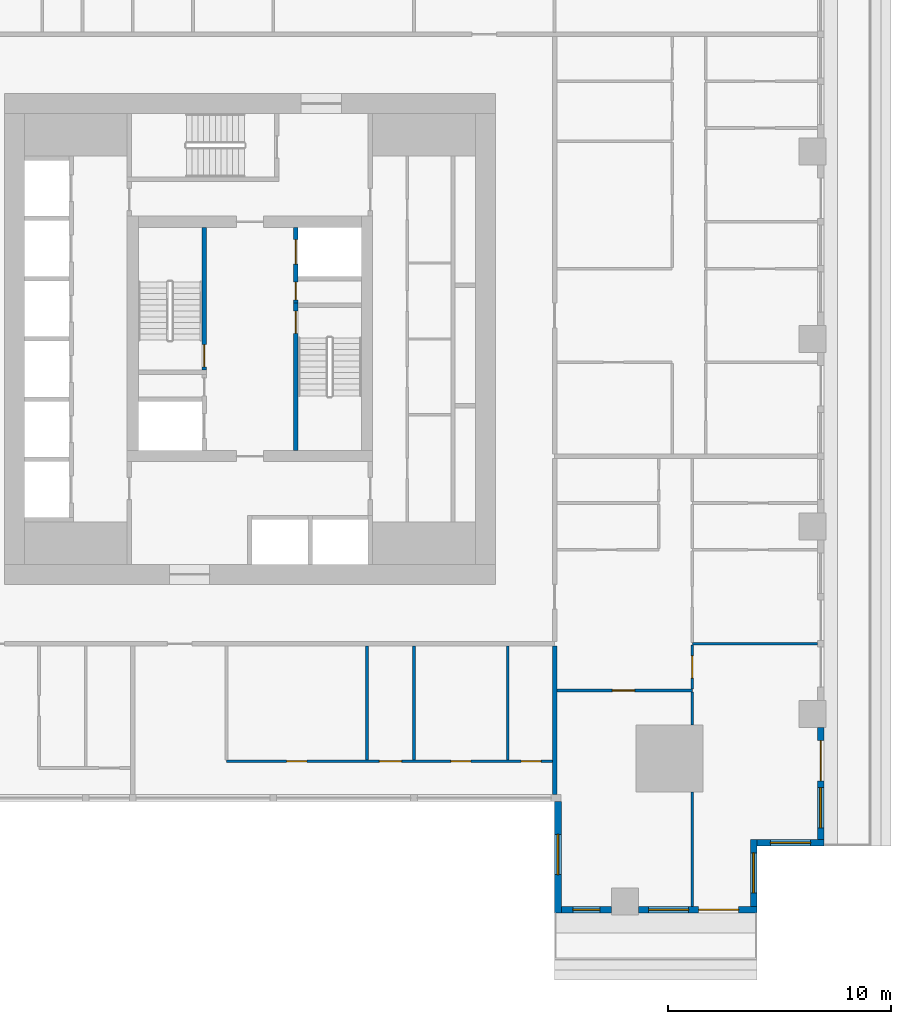
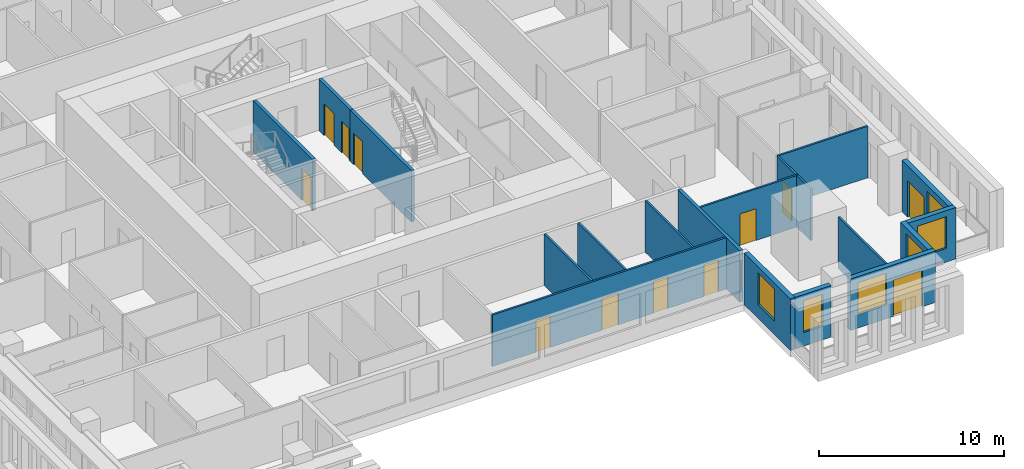
# One storey, part 4 of 14: 19 walls, 12 doors, 6 windows, 18 openings.
"""IFC4 building model written with IfcOpenShell, lengths in metres."""

import ifcopenshell
import ifcopenshell.guid

model = None  # the IFC model being written
_history = None  # IfcOwnerHistory: only IFC2X3 demands one
_inside = {}  # id of a spatial element -> (the spatial element, [elements in it])
_under = {}  # id of a project, library or spatial element -> (it, [spatial elements below it])
_declared = {}  # id of a project -> (the project, [libraries it declares])
_typed = {}  # id of a type object -> (the type object, [elements of that type])
_made_of = {}  # id of a material, layer set ... -> (it, [elements and type objects made of it])


def new_model(schema):
    """Start an empty IFC model of exactly this schema.

    Asked for "IFC4X3", IfcOpenShell would pick the latest addendum, in which some entities
    have other attributes; the version numbers below select the first issue.
    IFC2X3 requires an IfcOwnerHistory on every rooted entity: one is made here for all.
    """
    global model, _history
    if schema == "IFC4X3":
        model = ifcopenshell.file(schema_version=(4, 3, 0, 0))
    else:
        model = ifcopenshell.file(schema=schema)
    _inside.clear()
    _under.clear()
    _declared.clear()
    _typed.clear()
    _made_of.clear()
    _history = None
    if model.schema == "IFC2X3":
        org = make("IfcOrganization", Name="unknown")
        user = make(
            "IfcPersonAndOrganization",
            ThePerson=make("IfcPerson", FamilyName="unknown"),
            TheOrganization=org,
        )
        app = make(
            "IfcApplication",
            ApplicationDeveloper=org,
            Version="unknown",
            ApplicationFullName="unknown",
            ApplicationIdentifier="unknown",
        )
        _history = make(
            "IfcOwnerHistory",
            OwningUser=user,
            OwningApplication=app,
            ChangeAction="ADDED",
            CreationDate=0,
        )
    return model


def make(cls, **values):
    """One entity of the class cls with the attributes given. An attribute that is None is left unset."""
    return model.create_entity(
        cls, **{name: value for name, value in values.items() if value is not None}
    )


def rooted(cls, **values):
    """An entity with a GlobalId (a new one), such as an element, a storey or a relation."""
    return make(cls, GlobalId=ifcopenshell.guid.new(), OwnerHistory=_history, **values)


def si_unit(unit_type, name, prefix=None):
    """IfcSIUnit, for example si_unit("LENGTHUNIT", "METRE", prefix="MILLI")."""
    return make("IfcSIUnit", UnitType=unit_type, Prefix=prefix, Name=name)


def assignment(units):
    """IfcUnitAssignment: the units of a project."""
    return None if units is None else make("IfcUnitAssignment", Units=units)


def point(xyz):
    """IfcCartesianPoint."""
    return None if xyz is None else make("IfcCartesianPoint", Coordinates=xyz)


def direction(xyz):
    """IfcDirection."""
    return None if xyz is None else make("IfcDirection", DirectionRatios=xyz)


def frame(location, z_axis=None, x_axis=None):
    """IfcAxis2Placement3D, a coordinate frame: its origin and axes. An axis left out is left unset."""
    return make(
        "IfcAxis2Placement3D",
        Location=point(location),
        Axis=direction(z_axis),
        RefDirection=direction(x_axis),
    )


def frame_2d(location, x_axis=None):
    """IfcAxis2Placement2D, a coordinate frame in the plane: its origin and x axis."""
    return make(
        "IfcAxis2Placement2D", Location=point(location), RefDirection=direction(x_axis)
    )


def origin():
    """The frame at (0, 0, 0) with its axes left unset."""
    return frame((0.0, 0.0, 0.0))


def place(relative_to, where):
    """IfcLocalPlacement: puts the frame where relative to a parent placement (None: the world)."""
    return make(
        "IfcLocalPlacement", PlacementRelTo=relative_to, RelativePlacement=where
    )


def context(
    kind, dimensions, precision=None, world=None, true_north=None, identifier=None
):
    """IfcGeometricRepresentationContext, for example the 3D "Model" context."""
    return make(
        "IfcGeometricRepresentationContext",
        ContextIdentifier=identifier,
        ContextType=kind,
        CoordinateSpaceDimension=dimensions,
        Precision=precision,
        WorldCoordinateSystem=world,
        TrueNorth=true_north,
    )


def subcontext(parent, identifier, kind, view, scale=None):
    """IfcGeometricRepresentationSubContext, for example "Body" below "Model"."""
    return make(
        "IfcGeometricRepresentationSubContext",
        ContextIdentifier=identifier,
        ContextType=kind,
        ParentContext=parent,
        TargetScale=scale,
        TargetView=view,
    )


def project(units=None, contexts=None):
    """IfcProject with its units and contexts."""
    return rooted(
        "IfcProject",
        Name="project",
        RepresentationContexts=contexts,
        UnitsInContext=assignment(units),
    )


def spatial(cls, under=None, at=None, **own):
    """A site, building, storey or space (cls), placed at a placement, below another one or the project."""
    s = rooted(cls, ObjectPlacement=at, **own)
    if under is not None:
        _under.setdefault(under.id(), (under, []))[1].append(s)
    return s


def profile(cls, at=None, kind="AREA", **sizes):
    """A parametric profile (cls). Its sizes go by their IFC names, for example OverallWidth=200.0."""
    return make(cls, ProfileType=kind, Position=at, **sizes)


def rectangle(**sizes):
    """IfcRectangleProfileDef."""
    return profile("IfcRectangleProfileDef", **sizes)


def extrude(swept, where, along, depth):
    """IfcExtrudedAreaSolid: the profile swept, set in the frame where, extruded along a direction by depth."""
    return make(
        "IfcExtrudedAreaSolid",
        SweptArea=swept,
        Position=where,
        ExtrudedDirection=direction(along),
        Depth=depth,
    )


def shape(context_of_items, identifier, shape_type, items):
    """IfcShapeRepresentation: the items that make up one representation, for example the "Body"."""
    return make(
        "IfcShapeRepresentation",
        ContextOfItems=context_of_items,
        RepresentationIdentifier=identifier,
        RepresentationType=shape_type,
        Items=items,
    )


def material(Name=None, Category=None):
    """IfcMaterial."""
    return make("IfcMaterial", Name=Name, Category=Category)


def layer(
    of_material, thickness, ventilated=None, Name=None, Category=None, Priority=None
):
    """IfcMaterialLayer: one layer of a wall or slab, of a material (None: an air gap)."""
    return make(
        "IfcMaterialLayer",
        Material=of_material,
        LayerThickness=thickness,
        IsVentilated=ventilated,
        Name=Name,
        Category=Category,
        Priority=Priority,
    )


def layer_set(layers, Name=None):
    """IfcMaterialLayerSet."""
    return make("IfcMaterialLayerSet", MaterialLayers=layers, LayerSetName=Name)


def made_of(thing, what):
    """Note that an element or type object is made of a material, layer set ...; save() writes the relation."""
    if what is not None:
        _made_of.setdefault(what.id(), (what, []))[1].append(thing)
    return thing


def type_object(cls, material=None, **own):
    """A type object (cls), such as IfcWallType, which elements share."""
    return made_of(rooted(cls, **own), material)


def element(
    cls,
    number,
    at=None,
    inside=None,
    cuts=None,
    type_object=None,
    material=None,
    context=None,
    identifier="Body",
    shape_type=None,
    held_by="IfcProductDefinitionShape",
    body=None,
    shapes=None,
    **own,
):
    """One element of the class cls, such as IfcWall. Its Tag is "e" and its number.

    at: its placement. inside: the storey or other place that contains it. cuts: it is an
    opening in that element (IfcRelVoidsElement). A single representation is given by context,
    identifier, shape_type and body (its items); several are given by shapes. held_by: the class
    of the entity that holds the representations. save() writes the other relations.
    """
    e = rooted(cls, Tag="e%d" % number, ObjectPlacement=at, **own)
    if body is not None:
        shapes = [shape(context, identifier, shape_type, body)]
    if shapes is not None:
        e.Representation = make(held_by, Representations=shapes)
    if inside is not None:
        _inside.setdefault(inside.id(), (inside, []))[1].append(e)
    if cuts is not None:
        rooted(
            "IfcRelVoidsElement", RelatingBuildingElement=cuts, RelatedOpeningElement=e
        )
    if type_object is not None:
        _typed.setdefault(type_object.id(), (type_object, []))[1].append(e)
    return made_of(e, material)


def fill(opening, filler):
    """IfcRelFillsElement: the door or window that sits in an opening."""
    return rooted(
        "IfcRelFillsElement",
        RelatingOpeningElement=opening,
        RelatedBuildingElement=filler,
    )


def aggregate(whole, parts):
    """IfcRelAggregates: a whole, such as a stair, and the parts it consists of."""
    return rooted("IfcRelAggregates", RelatingObject=whole, RelatedObjects=parts)


def save(model, path):
    """Write the relations noted so far, then the file.

    IfcRelAggregates (storeys below a building ...), IfcRelContainedInSpatialStructure (elements
    in a storey), IfcRelDefinesByType, IfcRelAssociatesMaterial and IfcRelDeclares: one each for
    every whole, place, type object, material and project.
    """
    for whole, parts in _under.values():
        aggregate(whole, parts)
    for where, things in _inside.values():
        rooted(
            "IfcRelContainedInSpatialStructure",
            RelatedElements=things,
            RelatingStructure=where,
        )
    for kind, things in _typed.values():
        rooted("IfcRelDefinesByType", RelatedObjects=things, RelatingType=kind)
    for what, things in _made_of.values():
        rooted("IfcRelAssociatesMaterial", RelatedObjects=things, RelatingMaterial=what)
    for by, libraries in _declared.values():
        rooted("IfcRelDeclares", RelatingContext=by, RelatedDefinitions=libraries)
    model.write(path)


model = new_model("IFC4")

# Units and contexts
model_context = context("Model", 3, precision=1e-05, world=origin(), true_north=direction((0.0, 1.0)))
body_context = subcontext(model_context, "Body", "Model", "MODEL_VIEW")
ifc_project = project(units=[si_unit("LENGTHUNIT", "METRE"), si_unit("AREAUNIT", "SQUARE_METRE"), si_unit("VOLUMEUNIT", "CUBIC_METRE"), si_unit("PLANEANGLEUNIT", "RADIAN"), si_unit("MASSUNIT", "GRAM", prefix="KILO")], contexts=[model_context])

# Site, building, storey
site_placement = place(None, origin())
site = spatial("IfcSite", under=ifc_project, at=site_placement, CompositionType="ELEMENT")
building_placement = place(site_placement, origin())
building = spatial("IfcBuilding", under=site, at=building_placement, Name="Khepri Terraces", CompositionType="ELEMENT")
storey_placement = place(building_placement, frame((0.0, 0.0, 69.89990234375)))
storey = spatial("IfcBuildingStorey", under=building, at=storey_placement, Name="L16", CompositionType="ELEMENT", Elevation=69.89990234375)

# Wall, opening, door
ifc_material_1 = material(Name="Concrete C80/95", Category="concrete")
ifc_layer_1 = layer(ifc_material_1, 0.199951171875, Name="Concrete C80/95", Category="concrete")
ifc_layer_set_1 = layer_set([ifc_layer_1], Name="Concrete C80/95")
wall_type_1 = type_object("IfcWallType", Name="Core wall 200 C80/95", PredefinedType="SHEAR", material=ifc_layer_set_1)
wall_1_placement = place(storey_placement, frame((2.050048828125, -5.0, 0.0), z_axis=(0.0, 0.0, 1.0), x_axis=(0.0, 1.0, 0.0)))
wall_1 = element("IfcWall", 1, at=wall_1_placement, inside=storey, type_object=wall_type_1, Name="Core wall ST01 L16", PredefinedType="SHEAR", context=body_context, shape_type="SweptSolid", body=[
    extrude(rectangle(XDim=6.60009765625, YDim=0.199951171875, at=frame_2d((3.300048828125, 0.0))), origin(), (0.0, 0.0, 1.0), 3.400146484375),
])
opening_1_placement = place(wall_1_placement, frame((5.25, 0.0, 0.0)))
opening_1 = element("IfcOpeningElement", 2, at=opening_1_placement, cuts=wall_1, Name="Opening L16-C10", PredefinedType="OPENING", context=body_context, shape_type="SweptSolid", body=[
    extrude(rectangle(XDim=1.0, YDim=2.10009765625, at=frame_2d((0.5, 1.050048828125))), frame((0.0, 0.10986328125, 0.0), z_axis=(0.0, -1.0, 0.0), x_axis=(1.0, 0.0, 0.0)), (0.0, 0.0, 1.0), 0.219970703125),
])
ifc_material_2 = material(Name="Painted steel", Category="steel")
door_type_1 = type_object("IfcDoorType", Name="DR-CORE-STAIR-1000", OperationType="NOTDEFINED", PredefinedType="DOOR", material=ifc_material_2)
door_1_placement = place(opening_1_placement, frame((1.0, 0.0, 0.0), z_axis=(0.0, 0.0, 1.0), x_axis=(-1.0, 0.0, 0.0)))
door_1 = element("IfcDoor", 3, at=door_1_placement, inside=storey, type_object=door_type_1, Name="Stair door L16-C10", OperationType="SINGLE_SWING_LEFT", OverallHeight=2.10009765625, OverallWidth=1.0, PredefinedType="DOOR", context=body_context, shape_type="SweptSolid", body=[
    extrude(rectangle(XDim=1.0, YDim=2.10009765625, at=frame_2d((0.5, 1.050048828125))), frame((0.0, 0.02490234375, 0.0), z_axis=(0.0, -1.0, 0.0), x_axis=(1.0, 0.0, 0.0)), (0.0, 0.0, 1.0), 0.050048828125),
])
fill(opening_1, door_1)

wall_2_placement = place(storey_placement, frame((-2.050048828125, -1.39990234375, 0.0), z_axis=(0.0, 0.0, 1.0), x_axis=(0.0, 1.0, 0.0)))
wall_2 = element("IfcWall", 4, at=wall_2_placement, inside=storey, type_object=wall_type_1, Name="Core wall ST03 L16", PredefinedType="SHEAR", context=body_context, shape_type="SweptSolid", body=[
    extrude(rectangle(XDim=6.39990234375, YDim=0.199951171875, at=frame_2d((3.199951171875, 0.0))), origin(), (0.0, 0.0, 1.0), 3.400146484375),
])
opening_2_placement = place(wall_2_placement, frame((0.14990234375, 0.0, 0.0)))
opening_2 = element("IfcOpeningElement", 5, at=opening_2_placement, cuts=wall_2, Name="Opening L16-C09", PredefinedType="OPENING", context=body_context, shape_type="SweptSolid", body=[
    extrude(rectangle(XDim=1.0, YDim=2.10009765625, at=frame_2d((0.5, 1.050048828125))), frame((0.0, 0.10986328125, 0.0), z_axis=(0.0, -1.0, 0.0), x_axis=(1.0, 0.0, 0.0)), (0.0, 0.0, 1.0), 0.219970703125),
])
door_2_placement = place(opening_2_placement, origin())
door_2 = element("IfcDoor", 6, at=door_2_placement, inside=storey, type_object=door_type_1, Name="Stair door L16-C09", OperationType="SINGLE_SWING_LEFT", OverallHeight=2.10009765625, OverallWidth=1.0, PredefinedType="DOOR", context=body_context, shape_type="SweptSolid", body=[
    extrude(rectangle(XDim=1.0, YDim=2.10009765625, at=frame_2d((0.5, 1.050048828125))), frame((0.0, 0.02490234375, 0.0), z_axis=(0.0, -1.0, 0.0), x_axis=(1.0, 0.0, 0.0)), (0.0, 0.0, 1.0), 0.050048828125),
])
fill(opening_2, door_2)

# Wall, openings, doors
wall_3_placement = place(storey_placement, frame((2.050048828125, 1.60009765625, 0.0), z_axis=(0.0, 0.0, 1.0), x_axis=(0.0, 1.0, 0.0)))
wall_3 = element("IfcWall", 7, at=wall_3_placement, inside=storey, type_object=wall_type_1, Name="Core wall SH15 L16", PredefinedType="SHEAR", context=body_context, shape_type="SweptSolid", body=[
    extrude(rectangle(XDim=3.39990234375, YDim=0.199951171875, at=frame_2d((1.699951171875, 0.0))), origin(), (0.0, 0.0, 1.0), 3.400146484375),
])
opening_3_placement = place(wall_3_placement, frame((1.75, 0.0, 0.0)))
opening_3 = element("IfcOpeningElement", 8, at=opening_3_placement, cuts=wall_3, Name="Opening L16-C07", PredefinedType="OPENING", context=body_context, shape_type="SweptSolid", body=[
    extrude(rectangle(XDim=1.10009765625, YDim=2.10009765625, at=frame_2d((0.550048828125, 1.050048828125))), frame((0.0, 0.10986328125, 0.0), z_axis=(0.0, -1.0, 0.0), x_axis=(1.0, 0.0, 0.0)), (0.0, 0.0, 1.0), 0.219970703125),
])
opening_4_placement = place(wall_3_placement, frame((0.14990234375, 0.0, 0.0)))
opening_4 = element("IfcOpeningElement", 9, at=opening_4_placement, cuts=wall_3, Name="Opening L16-C11", PredefinedType="OPENING", context=body_context, shape_type="SweptSolid", body=[
    extrude(rectangle(XDim=0.800048828125, YDim=2.10009765625, at=frame_2d((0.39990234375, 1.050048828125))), frame((0.0, 0.10986328125, 0.0), z_axis=(0.0, -1.0, 0.0), x_axis=(1.0, 0.0, 0.0)), (0.0, 0.0, 1.0), 0.219970703125),
])
ifc_material_3 = material(Name="Stainless steel 304", Category="steel")
door_type_2 = type_object("IfcDoorType", Name="DR-CORE-FF-LANDING-1100", OperationType="NOTDEFINED", PredefinedType="DOOR", material=ifc_material_3)
door_3_placement = place(opening_3_placement, origin())
door_3 = element("IfcDoor", 10, at=door_3_placement, inside=storey, type_object=door_type_2, Name="Firefighting lift landing door L16-C07", OperationType="SLIDING_TO_LEFT", OverallHeight=2.10009765625, OverallWidth=1.10009765625, PredefinedType="DOOR", context=body_context, shape_type="SweptSolid", body=[
    extrude(rectangle(XDim=1.10009765625, YDim=2.10009765625, at=frame_2d((0.550048828125, 1.050048828125))), frame((0.0, 0.02490234375, 0.0), z_axis=(0.0, -1.0, 0.0), x_axis=(1.0, 0.0, 0.0)), (0.0, 0.0, 1.0), 0.050048828125),
])
fill(opening_3, door_3)
door_type_3 = type_object("IfcDoorType", Name="DR-CORE-RISER-800", OperationType="NOTDEFINED", PredefinedType="DOOR", material=ifc_material_2)
door_4_placement = place(opening_4_placement, frame((0.800048828125, 0.0, 0.0), z_axis=(0.0, 0.0, 1.0), x_axis=(-1.0, 0.0, 0.0)))
door_4 = element("IfcDoor", 11, at=door_4_placement, inside=storey, type_object=door_type_3, Name="Riser door L16-C11", OperationType="SINGLE_SWING_RIGHT", OverallHeight=2.10009765625, OverallWidth=0.800048828125, PredefinedType="DOOR", context=body_context, shape_type="SweptSolid", body=[
    extrude(rectangle(XDim=0.800048828125, YDim=2.10009765625, at=frame_2d((0.39990234375, 1.050048828125))), frame((0.0, 0.02490234375, 0.0), z_axis=(0.0, -1.0, 0.0), x_axis=(1.0, 0.0, 0.0)), (0.0, 0.0, 1.0), 0.050048828125),
])
fill(opening_4, door_4)

# Wall
ifc_material_4 = material(Name="Fire-rated gypsum plasterboard partition, mineral wool")
ifc_layer_2 = layer(ifc_material_4, 0.199951171875, Name="Fire-rated gypsum plasterboard partition, mineral wool")
ifc_layer_set_2 = layer_set([ifc_layer_2], Name="Fire-rated gypsum plasterboard partition, mineral wool")
wall_type_2 = type_object("IfcWallType", Name="WL-CORR-200", PredefinedType="PARTITIONING", material=ifc_layer_set_2)
wall_4_placement = place(storey_placement, frame((13.64990234375, -20.419921875, 0.0), z_axis=(0.0, 0.0, 1.0), x_axis=(0.0, 1.0, 0.0)))
element("IfcWall", 12, at=wall_4_placement, inside=storey, type_object=wall_type_2, Name="Partition P-004 L16", PredefinedType="PARTITIONING", context=body_context, shape_type="SweptSolid", body=[
    extrude(rectangle(XDim=6.669921875, YDim=0.199951171875, at=frame_2d((3.3349609375, 0.0))), origin(), (0.0, 0.0, 1.0), 3.400146484375),
])

# Wall, opening, window
ifc_material_5 = material(Name="Precast concrete C50/60 warm stone", Category="masonry")
ifc_layer_3 = layer(ifc_material_5, 0.300048828125, Name="Precast concrete C50/60 warm stone", Category="masonry")
ifc_layer_set_3 = layer_set([ifc_layer_3], Name="Precast concrete C50/60 warm stone")
wall_type_3 = type_object("IfcWallType", Name="WL-EXT-PRECAST-300", PredefinedType="STANDARD", material=ifc_layer_set_3)
wall_5_placement = place(storey_placement, frame((22.719970703125, -22.570068359375, 0.0), z_axis=(0.0, 0.0, 1.0), x_axis=(1.0, 0.0, 0.0)))
wall_5 = element("IfcWall", 13, at=wall_5_placement, inside=storey, type_object=wall_type_3, Name="External wall L16 S", PredefinedType="STANDARD", context=body_context, shape_type="SweptSolid", body=[
    extrude(rectangle(XDim=3.0, YDim=0.300048828125, at=frame_2d((1.5, 0.0))), origin(), (0.0, 0.0, 1.0), 3.400146484375),
])
opening_5_placement = place(wall_5_placement, frame((0.60009765625, 0.0, 0.89990234375)))
opening_5 = element("IfcOpeningElement", 14, at=opening_5_placement, cuts=wall_5, Name="Opening W1", PredefinedType="OPENING", context=body_context, shape_type="SweptSolid", body=[
    extrude(rectangle(XDim=1.800048828125, YDim=2.10009765625, at=frame_2d((0.89990234375, 1.050048828125))), frame((0.0, 0.16015625, 0.0), z_axis=(0.0, -1.0, 0.0), x_axis=(1.0, 0.0, 0.0)), (0.0, 0.0, 1.0), 0.320068359375),
])
ifc_material_6 = material(Name="Clear glass", Category="glass")
window_type_1 = type_object("IfcWindowType", Name="WIN-RES-1800x2100", PartitioningType="SINGLE_PANEL", PredefinedType="WINDOW", material=ifc_material_6)
window_1_placement = place(opening_5_placement, origin())
window_1 = element("IfcWindow", 15, at=window_1_placement, inside=storey, type_object=window_type_1, Name="Window L16 S", OverallHeight=2.10009765625, OverallWidth=1.800048828125, PartitioningType="SINGLE_PANEL", PredefinedType="WINDOW", context=body_context, shape_type="SweptSolid", body=[
    extrude(rectangle(XDim=1.800048828125, YDim=2.10009765625, at=frame_2d((0.89990234375, 1.050048828125))), frame((0.0, 0.030029296875, 0.0), z_axis=(0.0, -1.0, 0.0), x_axis=(1.0, 0.0, 0.0)), (0.0, 0.0, 1.0), 0.06005859375),
])
fill(opening_5, window_1)

# Wall, openings, door, window
wall_6_placement = place(storey_placement, frame((25.570068359375, -22.419921875, 0.0), z_axis=(0.0, 0.0, 1.0), x_axis=(0.0, 1.0, 0.0)))
wall_6 = element("IfcWall", 16, at=wall_6_placement, inside=storey, type_object=wall_type_3, Name="External wall L16 E", PredefinedType="STANDARD", context=body_context, shape_type="SweptSolid", body=[
    extrude(rectangle(XDim=5.02001953125, YDim=0.300048828125, at=frame_2d((2.510009765625, 0.0))), origin(), (0.0, 0.0, 1.0), 3.400146484375),
])
opening_6_placement = place(wall_6_placement, frame((0.52001953125, 0.0, 0.89990234375)))
opening_6 = element("IfcOpeningElement", 17, at=opening_6_placement, cuts=wall_6, Name="Opening W1", PredefinedType="OPENING", context=body_context, shape_type="SweptSolid", body=[
    extrude(rectangle(XDim=1.800048828125, YDim=2.10009765625, at=frame_2d((0.89990234375, 1.050048828125))), frame((0.0, 0.16015625, 0.0), z_axis=(0.0, -1.0, 0.0), x_axis=(1.0, 0.0, 0.0)), (0.0, 0.0, 1.0), 0.320068359375),
])
opening_7_placement = place(wall_6_placement, frame((2.6201171875, 0.0, 0.0)))
opening_7 = element("IfcOpeningElement", 18, at=opening_7_placement, cuts=wall_6, Name="Opening ED-L16-01", PredefinedType="OPENING", context=body_context, shape_type="SweptSolid", body=[
    extrude(rectangle(XDim=1.800048828125, YDim=2.39990234375, at=frame_2d((0.89990234375, 1.199951171875))), frame((0.0, 0.16015625, 0.0), z_axis=(0.0, -1.0, 0.0), x_axis=(1.0, 0.0, 0.0)), (0.0, 0.0, 1.0), 0.320068359375),
])
ifc_material_7 = material(Name="Anodised aluminium bronze glazed door", Category="aluminium")
door_type_4 = type_object("IfcDoorType", Name="DR-BAL-SLIDE-1800x2400", OperationType="NOTDEFINED", PredefinedType="DOOR", material=ifc_material_7)
door_5_placement = place(opening_7_placement, origin())
door_5 = element("IfcDoor", 19, at=door_5_placement, inside=storey, type_object=door_type_4, Name="Balcony door L16 E", OperationType="SLIDING_TO_RIGHT", OverallHeight=2.39990234375, OverallWidth=1.800048828125, PredefinedType="DOOR", context=body_context, shape_type="SweptSolid", body=[
    extrude(rectangle(XDim=1.800048828125, YDim=2.39990234375, at=frame_2d((0.89990234375, 1.199951171875))), frame((0.0, 0.02490234375, 0.0), z_axis=(0.0, -1.0, 0.0), x_axis=(1.0, 0.0, 0.0)), (0.0, 0.0, 1.0), 0.050048828125),
])
fill(opening_7, door_5)
window_2_placement = place(opening_6_placement, origin())
window_2 = element("IfcWindow", 20, at=window_2_placement, inside=storey, type_object=window_type_1, Name="Window L16 E", OverallHeight=2.10009765625, OverallWidth=1.800048828125, PartitioningType="SINGLE_PANEL", PredefinedType="WINDOW", context=body_context, shape_type="SweptSolid", body=[
    extrude(rectangle(XDim=1.800048828125, YDim=2.10009765625, at=frame_2d((0.89990234375, 1.050048828125))), frame((0.0, 0.030029296875, 0.0), z_axis=(0.0, -1.0, 0.0), x_axis=(1.0, 0.0, 0.0)), (0.0, 0.0, 1.0), 0.06005859375),
])
fill(opening_6, window_2)

# Wall, opening, window
wall_7_placement = place(storey_placement, frame((13.800048828125, -20.719970703125, 0.0), z_axis=(0.0, 0.0, 1.0), x_axis=(0.0, -1.0, 0.0)))
wall_7 = element("IfcWall", 21, at=wall_7_placement, inside=storey, type_object=wall_type_3, Name="External wall L16 W", PredefinedType="STANDARD", context=body_context, shape_type="SweptSolid", body=[
    extrude(rectangle(XDim=5.0, YDim=0.300048828125, at=frame_2d((2.5, 0.0))), origin(), (0.0, 0.0, 1.0), 3.400146484375),
])
opening_8_placement = place(wall_7_placement, frame((1.47998046875, 0.0, 0.89990234375)))
opening_8 = element("IfcOpeningElement", 22, at=opening_8_placement, cuts=wall_7, Name="Opening W1", PredefinedType="OPENING", context=body_context, shape_type="SweptSolid", body=[
    extrude(rectangle(XDim=1.800048828125, YDim=2.10009765625, at=frame_2d((0.89990234375, 1.050048828125))), frame((0.0, 0.16015625, 0.0), z_axis=(0.0, -1.0, 0.0), x_axis=(1.0, 0.0, 0.0)), (0.0, 0.0, 1.0), 0.320068359375),
])
window_3_placement = place(opening_8_placement, origin())
window_3 = element("IfcWindow", 23, at=window_3_placement, inside=storey, type_object=window_type_1, Name="Window L16 W", OverallHeight=2.10009765625, OverallWidth=1.800048828125, PartitioningType="SINGLE_PANEL", PredefinedType="WINDOW", context=body_context, shape_type="SweptSolid", body=[
    extrude(rectangle(XDim=1.800048828125, YDim=2.10009765625, at=frame_2d((0.89990234375, 1.050048828125))), frame((0.0, 0.030029296875, 0.0), z_axis=(0.0, -1.0, 0.0), x_axis=(1.0, 0.0, 0.0)), (0.0, 0.0, 1.0), 0.06005859375),
])
fill(opening_8, window_3)

wall_8_placement = place(storey_placement, frame((13.949951171875, -25.570068359375, 0.0), z_axis=(0.0, 0.0, 1.0), x_axis=(1.0, 0.0, 0.0)))
wall_8 = element("IfcWall", 24, at=wall_8_placement, inside=storey, type_object=wall_type_3, Name="External wall L16 S", PredefinedType="STANDARD", context=body_context, shape_type="SweptSolid", body=[
    extrude(rectangle(XDim=2.25, YDim=0.300048828125, at=frame_2d((1.125, 0.0))), origin(), (0.0, 0.0, 1.0), 3.400146484375),
])
opening_9_placement = place(wall_8_placement, frame((0.52490234375, 0.0, 0.89990234375)))
opening_9 = element("IfcOpeningElement", 25, at=opening_9_placement, cuts=wall_8, Name="Opening W4", PredefinedType="OPENING", context=body_context, shape_type="SweptSolid", body=[
    extrude(rectangle(XDim=1.199951171875, YDim=2.10009765625, at=frame_2d((0.60009765625, 1.050048828125))), frame((0.0, 0.16015625, 0.0), z_axis=(0.0, -1.0, 0.0), x_axis=(1.0, 0.0, 0.0)), (0.0, 0.0, 1.0), 0.320068359375),
])
window_type_2 = type_object("IfcWindowType", Name="WIN-RES-1200x2100", PartitioningType="SINGLE_PANEL", PredefinedType="WINDOW", material=ifc_material_6)
window_4_placement = place(opening_9_placement, origin())
window_4 = element("IfcWindow", 26, at=window_4_placement, inside=storey, type_object=window_type_2, Name="Window L16 S", OverallHeight=2.10009765625, OverallWidth=1.199951171875, PartitioningType="SINGLE_PANEL", PredefinedType="WINDOW", context=body_context, shape_type="SweptSolid", body=[
    extrude(rectangle(XDim=1.199951171875, YDim=2.10009765625, at=frame_2d((0.60009765625, 1.050048828125))), frame((0.0, 0.030029296875, 0.0), z_axis=(0.0, -1.0, 0.0), x_axis=(1.0, 0.0, 0.0)), (0.0, 0.0, 1.0), 0.06005859375),
])
fill(opening_9, window_4)

# Wall, openings, door, window
wall_9_placement = place(storey_placement, frame((17.39990234375, -25.570068359375, 0.0), z_axis=(0.0, 0.0, 1.0), x_axis=(1.0, 0.0, 0.0)))
wall_9 = element("IfcWall", 27, at=wall_9_placement, inside=storey, type_object=wall_type_3, Name="External wall L16 S", PredefinedType="STANDARD", context=body_context, shape_type="SweptSolid", body=[
    extrude(rectangle(XDim=5.320068359375, YDim=0.300048828125, at=frame_2d((2.66015625, 0.0))), origin(), (0.0, 0.0, 1.0), 3.400146484375),
])
opening_10_placement = place(wall_9_placement, frame((2.699951171875, 0.0, 0.0)))
opening_10 = element("IfcOpeningElement", 28, at=opening_10_placement, cuts=wall_9, Name="Opening ED-L16-21", PredefinedType="OPENING", context=body_context, shape_type="SweptSolid", body=[
    extrude(rectangle(XDim=1.800048828125, YDim=2.39990234375, at=frame_2d((0.89990234375, 1.199951171875))), frame((0.0, 0.16015625, 0.0), z_axis=(0.0, -1.0, 0.0), x_axis=(1.0, 0.0, 0.0)), (0.0, 0.0, 1.0), 0.320068359375),
])
opening_11_placement = place(wall_9_placement, frame((0.4599609375, 0.0, 0.89990234375)))
opening_11 = element("IfcOpeningElement", 29, at=opening_11_placement, cuts=wall_9, Name="Opening W1", PredefinedType="OPENING", context=body_context, shape_type="SweptSolid", body=[
    extrude(rectangle(XDim=1.800048828125, YDim=2.10009765625, at=frame_2d((0.89990234375, 1.050048828125))), frame((0.0, 0.16015625, 0.0), z_axis=(0.0, -1.0, 0.0), x_axis=(1.0, 0.0, 0.0)), (0.0, 0.0, 1.0), 0.320068359375),
])
door_6_placement = place(opening_10_placement, origin())
door_6 = element("IfcDoor", 30, at=door_6_placement, inside=storey, type_object=door_type_4, Name="Balcony door L16 S", OperationType="SLIDING_TO_LEFT", OverallHeight=2.39990234375, OverallWidth=1.800048828125, PredefinedType="DOOR", context=body_context, shape_type="SweptSolid", body=[
    extrude(rectangle(XDim=1.800048828125, YDim=2.39990234375, at=frame_2d((0.89990234375, 1.199951171875))), frame((0.0, 0.02490234375, 0.0), z_axis=(0.0, -1.0, 0.0), x_axis=(1.0, 0.0, 0.0)), (0.0, 0.0, 1.0), 0.050048828125),
])
fill(opening_10, door_6)
window_5_placement = place(opening_11_placement, origin())
window_5 = element("IfcWindow", 31, at=window_5_placement, inside=storey, type_object=window_type_1, Name="Window L16 S", OverallHeight=2.10009765625, OverallWidth=1.800048828125, PartitioningType="SINGLE_PANEL", PredefinedType="WINDOW", context=body_context, shape_type="SweptSolid", body=[
    extrude(rectangle(XDim=1.800048828125, YDim=2.10009765625, at=frame_2d((0.89990234375, 1.050048828125))), frame((0.0, 0.030029296875, 0.0), z_axis=(0.0, -1.0, 0.0), x_axis=(1.0, 0.0, 0.0)), (0.0, 0.0, 1.0), 0.06005859375),
])
fill(opening_11, window_5)

# Wall, opening, window
wall_10_placement = place(storey_placement, frame((22.570068359375, -25.419921875, 0.0), z_axis=(0.0, 0.0, 1.0), x_axis=(0.0, 1.0, 0.0)))
wall_10 = element("IfcWall", 32, at=wall_10_placement, inside=storey, type_object=wall_type_3, Name="External wall L16 E", PredefinedType="STANDARD", context=body_context, shape_type="SweptSolid", body=[
    extrude(rectangle(XDim=3.0, YDim=0.300048828125, at=frame_2d((1.5, 0.0))), origin(), (0.0, 0.0, 1.0), 3.400146484375),
])
opening_12_placement = place(wall_10_placement, frame((0.60009765625, 0.0, 0.89990234375)))
opening_12 = element("IfcOpeningElement", 33, at=opening_12_placement, cuts=wall_10, Name="Opening W1", PredefinedType="OPENING", context=body_context, shape_type="SweptSolid", body=[
    extrude(rectangle(XDim=1.800048828125, YDim=2.10009765625, at=frame_2d((0.89990234375, 1.050048828125))), frame((0.0, 0.16015625, 0.0), z_axis=(0.0, -1.0, 0.0), x_axis=(1.0, 0.0, 0.0)), (0.0, 0.0, 1.0), 0.320068359375),
])
window_6_placement = place(opening_12_placement, origin())
window_6 = element("IfcWindow", 34, at=window_6_placement, inside=storey, type_object=window_type_1, Name="Window L16 E", OverallHeight=2.10009765625, OverallWidth=1.800048828125, PartitioningType="SINGLE_PANEL", PredefinedType="WINDOW", context=body_context, shape_type="SweptSolid", body=[
    extrude(rectangle(XDim=1.800048828125, YDim=2.10009765625, at=frame_2d((0.89990234375, 1.050048828125))), frame((0.0, 0.030029296875, 0.0), z_axis=(0.0, -1.0, 0.0), x_axis=(1.0, 0.0, 0.0)), (0.0, 0.0, 1.0), 0.06005859375),
])
fill(opening_12, window_6)

# Wall
ifc_material_8 = material(Name="Gypsum plasterboard partition")
ifc_layer_4 = layer(ifc_material_8, 0.1201171875, Name="Gypsum plasterboard partition")
ifc_layer_set_4 = layer_set([ifc_layer_4], Name="Gypsum plasterboard partition")
wall_type_4 = type_object("IfcWallType", Name="WL-PART-120", PredefinedType="PARTITIONING", material=ifc_layer_set_4)
wall_11_placement = place(storey_placement, frame((19.820068359375, -25.419921875, 0.0), z_axis=(0.0, 0.0, 1.0), x_axis=(0.0, 1.0, 0.0)))
element("IfcWall", 35, at=wall_11_placement, inside=storey, type_object=wall_type_4, Name="Partition P-001 L16", PredefinedType="PARTITIONING", context=body_context, shape_type="SweptSolid", body=[
    extrude(rectangle(XDim=5.119873046875, YDim=0.1201171875, at=frame_2d((2.56005859375, 0.0))), origin(), (0.0, 0.0, 1.0), 3.400146484375),
])

# Wall, openings, doors
wall_12_placement = place(storey_placement, frame((-1.050048828125, -18.919921875, 0.0), z_axis=(0.0, 0.0, 1.0), x_axis=(1.0, 0.0, 0.0)))
wall_12 = element("IfcWall", 36, at=wall_12_placement, inside=storey, type_object=wall_type_4, Name="Partition P-010 L16", PredefinedType="PARTITIONING", context=body_context, shape_type="SweptSolid", body=[
    extrude(rectangle(XDim=14.60009765625, YDim=0.1201171875, at=frame_2d((7.300048828125, 0.0))), origin(), (0.0, 0.0, 1.0), 3.400146484375),
])
opening_13_placement = place(wall_12_placement, frame((2.699951171875, 0.0, 0.0)))
opening_13 = element("IfcOpeningElement", 37, at=opening_13_placement, cuts=wall_12, Name="Opening D3", PredefinedType="OPENING", context=body_context, shape_type="SweptSolid", body=[
    extrude(rectangle(XDim=0.89990234375, YDim=2.10009765625, at=frame_2d((0.449951171875, 1.050048828125))), frame((0.0, 0.070068359375, 0.0), z_axis=(0.0, -1.0, 0.0), x_axis=(1.0, 0.0, 0.0)), (0.0, 0.0, 1.0), 0.14013671875),
])
opening_14_placement = place(wall_12_placement, frame((6.85009765625, 0.0, 0.0)))
opening_14 = element("IfcOpeningElement", 38, at=opening_14_placement, cuts=wall_12, Name="Opening D2", PredefinedType="OPENING", context=body_context, shape_type="SweptSolid", body=[
    extrude(rectangle(XDim=1.0, YDim=2.10009765625, at=frame_2d((0.5, 1.050048828125))), frame((0.0, 0.070068359375, 0.0), z_axis=(0.0, -1.0, 0.0), x_axis=(1.0, 0.0, 0.0)), (0.0, 0.0, 1.0), 0.14013671875),
])
opening_15_placement = place(wall_12_placement, frame((10.050048828125, 0.0, 0.0)))
opening_15 = element("IfcOpeningElement", 39, at=opening_15_placement, cuts=wall_12, Name="Opening D3", PredefinedType="OPENING", context=body_context, shape_type="SweptSolid", body=[
    extrude(rectangle(XDim=0.89990234375, YDim=2.10009765625, at=frame_2d((0.449951171875, 1.050048828125))), frame((0.0, 0.070068359375, 0.0), z_axis=(0.0, -1.0, 0.0), x_axis=(1.0, 0.0, 0.0)), (0.0, 0.0, 1.0), 0.14013671875),
])
opening_16_placement = place(wall_12_placement, frame((13.199951171875, 0.0, 0.0)))
opening_16 = element("IfcOpeningElement", 40, at=opening_16_placement, cuts=wall_12, Name="Opening D4", PredefinedType="OPENING", context=body_context, shape_type="SweptSolid", body=[
    extrude(rectangle(XDim=0.89990234375, YDim=2.10009765625, at=frame_2d((0.449951171875, 1.050048828125))), frame((0.0, 0.070068359375, 0.0), z_axis=(0.0, -1.0, 0.0), x_axis=(1.0, 0.0, 0.0)), (0.0, 0.0, 1.0), 0.14013671875),
])
ifc_material_9 = material(Name="Timber door leaf, living room door", Category="wood")
door_type_5 = type_object("IfcDoorType", Name="DR-INT-1000", OperationType="NOTDEFINED", PredefinedType="DOOR", material=ifc_material_9)
door_7_placement = place(opening_14_placement, origin())
door_7 = element("IfcDoor", 41, at=door_7_placement, inside=storey, type_object=door_type_5, Name="Door Family Room", OperationType="SINGLE_SWING_RIGHT", OverallHeight=2.10009765625, OverallWidth=1.0, PredefinedType="DOOR", context=body_context, shape_type="SweptSolid", body=[
    extrude(rectangle(XDim=1.0, YDim=2.10009765625, at=frame_2d((0.5, 1.050048828125))), frame((0.0, 0.02490234375, 0.0), z_axis=(0.0, -1.0, 0.0), x_axis=(1.0, 0.0, 0.0)), (0.0, 0.0, 1.0), 0.050048828125),
])
fill(opening_14, door_7)
ifc_material_10 = material(Name="Timber door leaf", Category="wood")
door_type_6 = type_object("IfcDoorType", Name="DR-INT-900", OperationType="NOTDEFINED", PredefinedType="DOOR", material=ifc_material_10)
door_8_placement = place(opening_13_placement, origin())
door_8 = element("IfcDoor", 42, at=door_8_placement, inside=storey, type_object=door_type_6, Name="Door Kitchen", OperationType="SINGLE_SWING_LEFT", OverallHeight=2.10009765625, OverallWidth=0.89990234375, PredefinedType="DOOR", context=body_context, shape_type="SweptSolid", body=[
    extrude(rectangle(XDim=0.89990234375, YDim=2.10009765625, at=frame_2d((0.449951171875, 1.050048828125))), frame((0.0, 0.02490234375, 0.0), z_axis=(0.0, -1.0, 0.0), x_axis=(1.0, 0.0, 0.0)), (0.0, 0.0, 1.0), 0.050048828125),
])
fill(opening_13, door_8)
door_9_placement = place(opening_15_placement, origin())
door_9 = element("IfcDoor", 43, at=door_9_placement, inside=storey, type_object=door_type_6, Name="Door Staff Bedroom", OperationType="SINGLE_SWING_RIGHT", OverallHeight=2.10009765625, OverallWidth=0.89990234375, PredefinedType="DOOR", context=body_context, shape_type="SweptSolid", body=[
    extrude(rectangle(XDim=0.89990234375, YDim=2.10009765625, at=frame_2d((0.449951171875, 1.050048828125))), frame((0.0, 0.02490234375, 0.0), z_axis=(0.0, -1.0, 0.0), x_axis=(1.0, 0.0, 0.0)), (0.0, 0.0, 1.0), 0.050048828125),
])
fill(opening_15, door_9)
ifc_material_11 = material(Name="Timber door leaf, moisture resistant", Category="wood")
door_type_7 = type_object("IfcDoorType", Name="DR-WET-900", OperationType="NOTDEFINED", PredefinedType="DOOR", material=ifc_material_11)
door_10_placement = place(opening_16_placement, origin())
door_10 = element("IfcDoor", 44, at=door_10_placement, inside=storey, type_object=door_type_7, Name="Door Guest Bathroom", OperationType="SINGLE_SWING_RIGHT", OverallHeight=2.10009765625, OverallWidth=0.89990234375, PredefinedType="DOOR", context=body_context, shape_type="SweptSolid", body=[
    extrude(rectangle(XDim=0.89990234375, YDim=2.10009765625, at=frame_2d((0.449951171875, 1.050048828125))), frame((0.0, 0.02490234375, 0.0), z_axis=(0.0, -1.0, 0.0), x_axis=(1.0, 0.0, 0.0)), (0.0, 0.0, 1.0), 0.050048828125),
])
fill(opening_16, door_10)

# Walls
for number, where, z_axis, x_axis, name in (
    (45, (5.25, -18.860107421875, 0.0), (0.0, 0.0, 1.0), (0.0, 1.0, 0.0), "Partition P-012 L16"),
    (46, (7.35009765625, -18.860107421875, 0.0), (0.0, 0.0, 1.0), (0.0, 1.0, 0.0), "Partition P-013 L16"),
    (47, (11.550048828125, -18.860107421875, 0.0), (0.0, 0.0, 1.0), (0.0, 1.0, 0.0), "Partition P-014 L16"),
):
    element("IfcWall", number, at=place(storey_placement, frame(where, z_axis=z_axis, x_axis=x_axis)), inside=storey, type_object=wall_type_4, Name=name, PredefinedType="PARTITIONING", context=body_context, shape_type="SweptSolid", body=[
        extrude(rectangle(XDim=5.110107421875, YDim=0.1201171875, at=frame_2d((2.55517578125, 0.0))), origin(), (0.0, 0.0, 1.0), 3.400146484375),
    ])
wall_13_placement = place(storey_placement, frame((19.820068359375, -17.300048828125, 0.0), z_axis=(0.0, 0.0, 1.0), x_axis=(0.0, 1.0, 0.0)))
element("IfcWall", 48, at=wall_13_placement, inside=storey, type_object=wall_type_4, Name="Partition P-015 L16", PredefinedType="PARTITIONING", context=body_context, shape_type="SweptSolid", body=[
    extrude(rectangle(XDim=1.489990234375, YDim=0.1201171875, at=frame_2d((0.7451171875, 0.0))), origin(), (0.0, 0.0, 1.0), 3.400146484375),
])

# Wall, opening, door
wall_14_placement = place(storey_placement, frame((13.75, -15.75, 0.0), z_axis=(0.0, 0.0, 1.0), x_axis=(1.0, 0.0, 0.0)))
wall_14 = element("IfcWall", 49, at=wall_14_placement, inside=storey, type_object=wall_type_4, Name="Partition P-016 L16", PredefinedType="PARTITIONING", context=body_context, shape_type="SweptSolid", body=[
    extrude(rectangle(XDim=6.070068359375, YDim=0.1201171875, at=frame_2d((3.03515625, 0.0))), origin(), (0.0, 0.0, 1.0), 3.400146484375),
])
opening_17_placement = place(wall_14_placement, frame((2.485107421875, 0.0, 0.0)))
opening_17 = element("IfcOpeningElement", 50, at=opening_17_placement, cuts=wall_14, Name="Opening D2", PredefinedType="OPENING", context=body_context, shape_type="SweptSolid", body=[
    extrude(rectangle(XDim=1.0, YDim=2.10009765625, at=frame_2d((0.5, 1.050048828125))), frame((0.0, 0.070068359375, 0.0), z_axis=(0.0, -1.0, 0.0), x_axis=(1.0, 0.0, 0.0)), (0.0, 0.0, 1.0), 0.14013671875),
])
door_11_placement = place(opening_17_placement, frame((1.0, 0.0, 0.0), z_axis=(0.0, 0.0, 1.0), x_axis=(-1.0, 0.0, 0.0)))
door_11 = element("IfcDoor", 51, at=door_11_placement, inside=storey, type_object=door_type_5, Name="Door Family Room", OperationType="SINGLE_SWING_RIGHT", OverallHeight=2.10009765625, OverallWidth=1.0, PredefinedType="DOOR", context=body_context, shape_type="SweptSolid", body=[
    extrude(rectangle(XDim=1.0, YDim=2.10009765625, at=frame_2d((0.5, 1.050048828125))), frame((0.0, 0.02490234375, 0.0), z_axis=(0.0, -1.0, 0.0), x_axis=(1.0, 0.0, 0.0)), (0.0, 0.0, 1.0), 0.050048828125),
])
fill(opening_17, door_11)

wall_15_placement = place(storey_placement, frame((19.820068359375, -15.68994140625, 0.0), z_axis=(0.0, 0.0, 1.0), x_axis=(0.0, 1.0, 0.0)))
wall_15 = element("IfcWall", 52, at=wall_15_placement, inside=storey, type_object=wall_type_4, Name="Partition P-017 L16", PredefinedType="PARTITIONING", context=body_context, shape_type="SweptSolid", body=[
    extrude(rectangle(XDim=1.97998046875, YDim=0.1201171875, at=frame_2d((0.989990234375, 0.0))), origin(), (0.0, 0.0, 1.0), 3.400146484375),
])
opening_18_placement = place(wall_15_placement, frame((0.489990234375, 0.0, 0.0)))
opening_18 = element("IfcOpeningElement", 53, at=opening_18_placement, cuts=wall_15, Name="Opening D2", PredefinedType="OPENING", context=body_context, shape_type="SweptSolid", body=[
    extrude(rectangle(XDim=1.0, YDim=2.10009765625, at=frame_2d((0.5, 1.050048828125))), frame((0.0, 0.070068359375, 0.0), z_axis=(0.0, -1.0, 0.0), x_axis=(1.0, 0.0, 0.0)), (0.0, 0.0, 1.0), 0.14013671875),
])
door_12_placement = place(opening_18_placement, frame((1.0, 0.0, 0.0), z_axis=(0.0, 0.0, 1.0), x_axis=(-1.0, 0.0, 0.0)))
door_12 = element("IfcDoor", 54, at=door_12_placement, inside=storey, type_object=door_type_5, Name="Door Living Room", OperationType="SINGLE_SWING_LEFT", OverallHeight=2.10009765625, OverallWidth=1.0, PredefinedType="DOOR", context=body_context, shape_type="SweptSolid", body=[
    extrude(rectangle(XDim=1.0, YDim=2.10009765625, at=frame_2d((0.5, 1.050048828125))), frame((0.0, 0.02490234375, 0.0), z_axis=(0.0, -1.0, 0.0), x_axis=(1.0, 0.0, 0.0)), (0.0, 0.0, 1.0), 0.050048828125),
])
fill(opening_18, door_12)

# Wall
wall_16_placement = place(storey_placement, frame((19.820068359375, -13.64990234375, 0.0), z_axis=(0.0, 0.0, 1.0), x_axis=(1.0, 0.0, 0.0)))
element("IfcWall", 55, at=wall_16_placement, inside=storey, type_object=wall_type_4, Name="Partition P-019 L16", PredefinedType="PARTITIONING", context=body_context, shape_type="SweptSolid", body=[
    extrude(rectangle(XDim=5.599853515625, YDim=0.1201171875, at=frame_2d((2.7998046875, 0.0))), origin(), (0.0, 0.0, 1.0), 3.400146484375),
])

save(model, "model.ifc")
